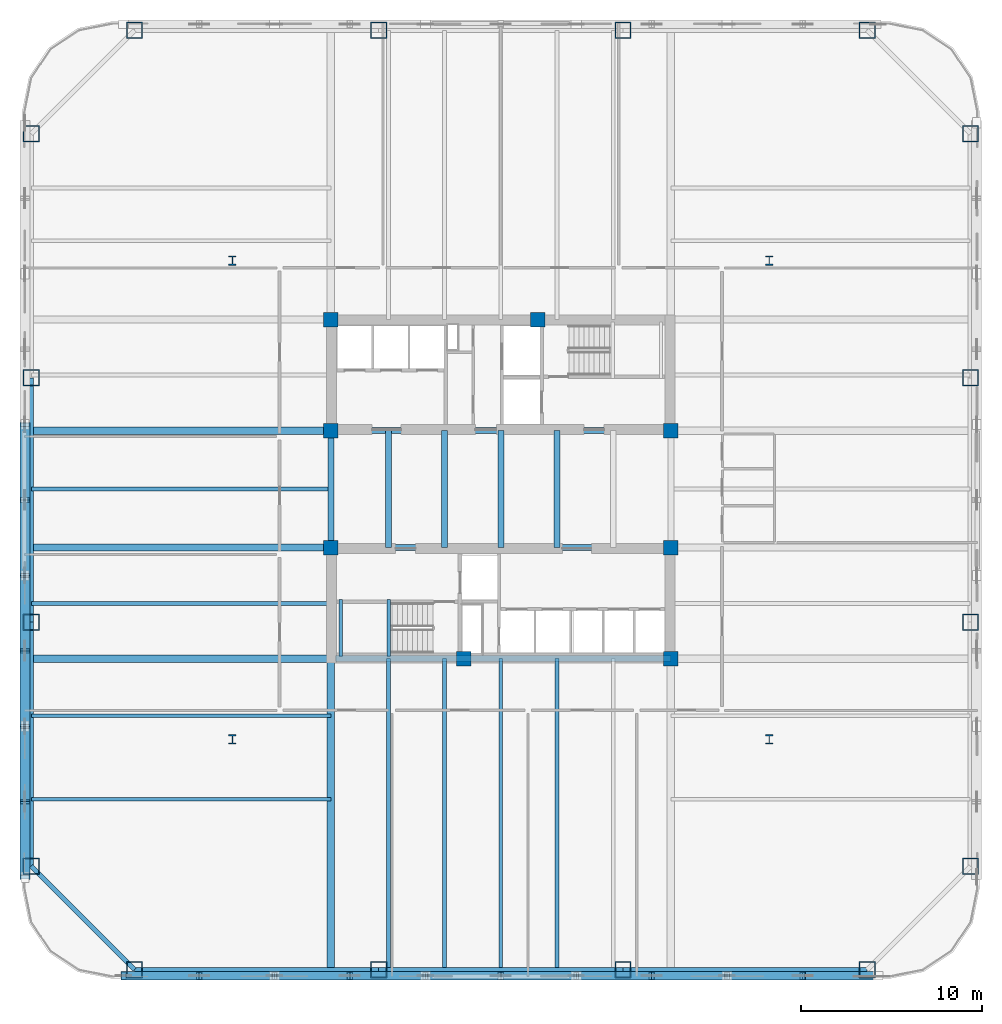
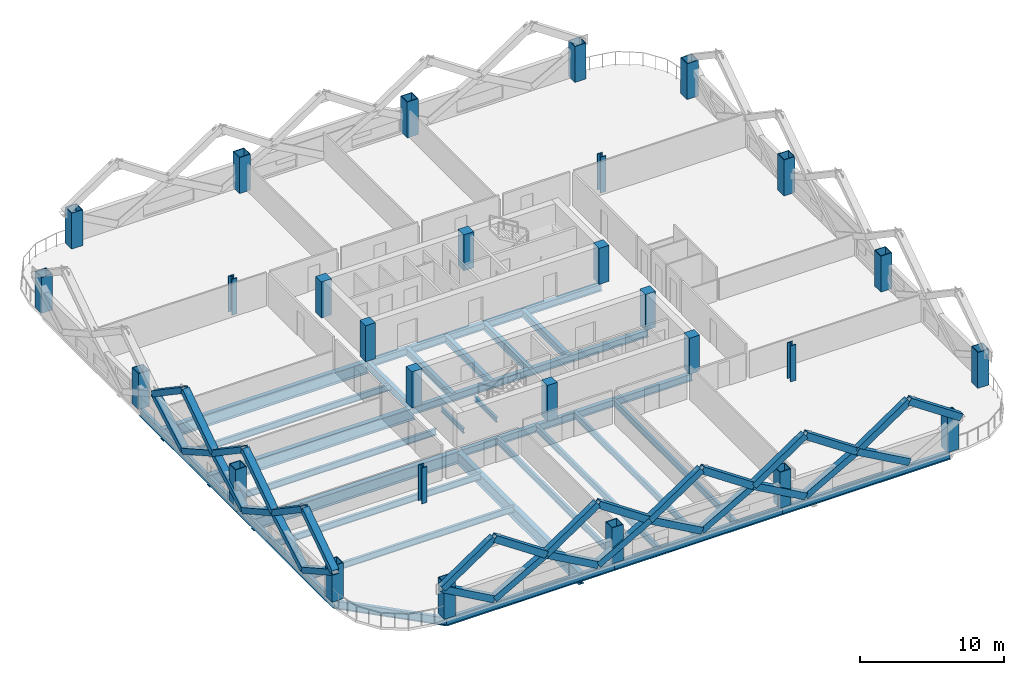
# One storey, part 1 of 13: 31 members, 28 beams, 28 columns.
"""IFC4 building model written with IfcOpenShell, lengths in metres."""

from ifc_helpers import new_model, si_unit, direction, frame, origin, origin_2d, place, context, subcontext, project, spatial, rectangle, hollow_rectangle, i_section, extrude, material, material_profile, profile_set, type_object, element, save


model = new_model("IFC4")

# Units and contexts
model_context = context("Model", 3, precision=1e-05, world=origin(), true_north=direction((0.0, 1.0)))
body_context = subcontext(model_context, "Body", "Model", "MODEL_VIEW")
ifc_project = project(units=[si_unit("LENGTHUNIT", "METRE"), si_unit("AREAUNIT", "SQUARE_METRE"), si_unit("VOLUMEUNIT", "CUBIC_METRE"), si_unit("PLANEANGLEUNIT", "RADIAN"), si_unit("MASSUNIT", "GRAM", prefix="KILO")], contexts=[model_context])

# Site, building, storey
site_placement = place(None, origin())
site = spatial("IfcSite", under=ifc_project, at=site_placement, CompositionType="ELEMENT")
building_placement = place(site_placement, origin())
building = spatial("IfcBuilding", under=site, at=building_placement, Name="Qhalaya Broadcast Tower", CompositionType="ELEMENT")
storey_placement = place(building_placement, frame((0.0, 0.0, 44.39990234375)))
storey = spatial("IfcBuildingStorey", under=building, at=storey_placement, Name="L12", CompositionType="ELEMENT", Elevation=44.39990234375)

# Columns
ifc_material_1 = material(Name="Concrete C50/60", Category="concrete")
ifc_material_profile_1 = material_profile(ifc_material_1, rectangle(XDim=0.800048828125, YDim=0.800048828125, at=origin_2d()), Name="RC-COL 800x800")
ifc_profile_set_1 = profile_set([ifc_material_profile_1], Name="Concrete C50/60")
column_type_1 = type_object("IfcColumnType", Name="RC Upper Column C10", PredefinedType="COLUMN", material=ifc_profile_set_1)
for number, where, z_axis, x_axis, name in (
    (1, (-9.375, 9.949951171875, 0.0), (0.0, 0.0, 1.0), (1.0, 0.0, 0.0), "L12 Column COL-CC1"),
    (2, (2.050048828125, 9.949951171875, 0.0), (0.0, 0.0, 1.0), (1.0, 0.0, 0.0), "L12 Column COL-CC2"),
    (3, (-9.375, 3.824951171875, 0.0), (0.0, 0.0, 1.0), (1.0, 0.0, 0.0), "L12 Column COL-CC3"),
    (4, (9.375, 3.824951171875, 0.0), (0.0, 0.0, 1.0), (1.0, 0.0, 0.0), "L12 Column COL-CC4"),
    (5, (-9.375, -2.625, 0.0), (0.0, 0.0, 1.0), (1.0, 0.0, 0.0), "L12 Column COL-CC5"),
    (6, (9.375, -2.625, 0.0), (0.0, 0.0, 1.0), (1.0, 0.0, 0.0), "L12 Column COL-CC6"),
    (7, (-2.050048828125, -8.75, 0.0), (0.0, 0.0, 1.0), (1.0, 0.0, 0.0), "L12 Column COL-CC7"),
    (8, (9.375, -8.75, 0.0), (0.0, 0.0, 1.0), (1.0, 0.0, 0.0), "L12 Column COL-CC8"),
):
    element("IfcColumn", number, at=place(storey_placement, frame(where, z_axis=z_axis, x_axis=x_axis)), inside=storey, type_object=column_type_1, Name=name, PredefinedType="COLUMN", context=body_context, shape_type="SweptSolid", body=[
        extrude(rectangle(XDim=0.800048828125, YDim=0.800048828125, at=origin_2d()), origin(), (0.0, 0.0, 1.0), 3.050048828125),
    ])
ifc_material_2 = material(Name="Structural Steel ASTM A992 Grade 50", Category="steel")
ifc_material_profile_2 = material_profile(ifc_material_2, i_section(OverallWidth=0.41796875, OverallDepth=0.510009765625, WebThickness=0.0419921875, FlangeThickness=0.067626953125, at=origin_2d()), Name="W14X370")
ifc_profile_set_2 = profile_set([ifc_material_profile_2], Name="Structural Steel ASTM A992 Grade 50")
column_type_2 = type_object("IfcColumnType", Name="Rolled Gravity Column C06", PredefinedType="COLUMN", material=ifc_profile_set_2)
for number, where, z_axis, x_axis, name in (
    (9, (-14.800048828125, -13.199951171875, 0.0), (0.0, 0.0, 1.0), (1.0, 0.0, 0.0), "L12 Column COL-GR1"),
    (10, (14.800048828125, -13.199951171875, 0.0), (0.0, 0.0, 1.0), (1.0, 0.0, 0.0), "L12 Column COL-GR2"),
    (11, (-14.800048828125, 13.199951171875, 0.0), (0.0, 0.0, 1.0), (1.0, 0.0, 0.0), "L12 Column COL-GR3"),
    (12, (14.800048828125, 13.199951171875, 0.0), (0.0, 0.0, 1.0), (1.0, 0.0, 0.0), "L12 Column COL-GR4"),
):
    element("IfcColumn", number, at=place(storey_placement, frame(where, z_axis=z_axis, x_axis=x_axis)), inside=storey, type_object=column_type_2, Name=name, PredefinedType="COLUMN", context=body_context, shape_type="SweptSolid", body=[
        extrude(i_section(OverallWidth=0.41796875, OverallDepth=0.510009765625, WebThickness=0.0419921875, FlangeThickness=0.067626953125, at=origin_2d()), origin(), (0.0, 0.0, 1.0), 3.050048828125),
    ])
ifc_material_3 = material(Name="Structural Steel ASTM A572 Grade 50", Category="steel")
ifc_material_profile_3 = material_profile(ifc_material_3, hollow_rectangle(XDim=0.89990234375, YDim=0.89990234375, WallThickness=0.054931640625, at=origin_2d()), Name="BOX 900x900x55")
ifc_profile_set_3 = profile_set([ifc_material_profile_3], Name="Structural Steel ASTM A572 Grade 50")
column_type_3 = type_object("IfcColumnType", Name="Steel Box Column C02", PredefinedType="COLUMN", material=ifc_profile_set_3)
for number, where, z_axis, x_axis, name in (
    (13, (-20.199951171875, -25.89990234375, 0.0), (0.0, 0.0, 1.0), (1.0, 0.0, 0.0), "L12 Column COL-EX01"),
    (14, (-6.7333984375, -25.89990234375, 0.0), (0.0, 0.0, 1.0), (1.0, 0.0, 0.0), "L12 Column COL-EX02"),
    (15, (6.7333984375, -25.89990234375, 0.0), (0.0, 0.0, 1.0), (1.0, 0.0, 0.0), "L12 Column COL-EX03"),
    (16, (20.199951171875, -25.89990234375, 0.0), (0.0, 0.0, 1.0), (1.0, 0.0, 0.0), "L12 Column COL-EX04"),
    (17, (25.89990234375, -20.199951171875, 0.0), (0.0, 0.0, 1.0), (0.0, 1.0, 0.0), "L12 Column COL-EX05"),
    (18, (25.89990234375, -6.7333984375, 0.0), (0.0, 0.0, 1.0), (0.0, 1.0, 0.0), "L12 Column COL-EX06"),
    (19, (25.89990234375, 6.7333984375, 0.0), (0.0, 0.0, 1.0), (0.0, 1.0, 0.0), "L12 Column COL-EX07"),
    (20, (25.89990234375, 20.199951171875, 0.0), (0.0, 0.0, 1.0), (0.0, 1.0, 0.0), "L12 Column COL-EX08"),
    (21, (20.199951171875, 25.89990234375, 0.0), (0.0, 0.0, 1.0), (1.0, 0.0, 0.0), "L12 Column COL-EX09"),
    (22, (6.7333984375, 25.89990234375, 0.0), (0.0, 0.0, 1.0), (1.0, 0.0, 0.0), "L12 Column COL-EX10"),
    (23, (-6.7333984375, 25.89990234375, 0.0), (0.0, 0.0, 1.0), (1.0, 0.0, 0.0), "L12 Column COL-EX11"),
    (24, (-20.199951171875, 25.89990234375, 0.0), (0.0, 0.0, 1.0), (1.0, 0.0, 0.0), "L12 Column COL-EX12"),
    (25, (-25.89990234375, 20.199951171875, 0.0), (0.0, 0.0, 1.0), (0.0, 1.0, 0.0), "L12 Column COL-EX13"),
    (26, (-25.89990234375, 6.7333984375, 0.0), (0.0, 0.0, 1.0), (0.0, 1.0, 0.0), "L12 Column COL-EX14"),
    (27, (-25.89990234375, -6.7333984375, 0.0), (0.0, 0.0, 1.0), (0.0, 1.0, 0.0), "L12 Column COL-EX15"),
    (28, (-25.89990234375, -20.199951171875, 0.0), (0.0, 0.0, 1.0), (0.0, 1.0, 0.0), "L12 Column COL-EX16"),
):
    element("IfcColumn", number, at=place(storey_placement, frame(where, z_axis=z_axis, x_axis=x_axis)), inside=storey, type_object=column_type_3, Name=name, PredefinedType="COLUMN", context=body_context, shape_type="SweptSolid", body=[
        extrude(hollow_rectangle(XDim=0.89990234375, YDim=0.89990234375, WallThickness=0.054931640625, at=origin_2d()), origin(), (0.0, 0.0, 1.0), 3.050048828125),
    ])

# Beams
ifc_material_profile_4 = material_profile(ifc_material_2, i_section(OverallWidth=0.2099609375, OverallDepth=0.535888671875, WebThickness=0.010986328125, FlangeThickness=0.017333984375, at=origin_2d()), Name="W21X68")
ifc_profile_set_4 = profile_set([ifc_material_profile_4], Name="Structural Steel ASTM A992 Grade 50")
beam_type_1 = type_object("IfcBeamType", Name="Composite Floor Joist J02", PredefinedType="JOIST", material=ifc_profile_set_4)
for number, where, z_axis, x_axis, name in (
    (29, (-6.199951171875, -25.8798828125, -0.48779296875), (0.0, 1.0, 0.0), (-1.0, 0.0, 0.0), "L12 J02 L12-JNS1-1"),
    (30, (-3.10009765625, -25.8798828125, -0.48779296875), (0.0, 1.0, 0.0), (-1.0, 0.0, 0.0), "L12 J02 L12-JNS2-1"),
    (31, (0.0, -25.8798828125, -0.48779296875), (0.0, 1.0, 0.0), (-1.0, 0.0, 0.0), "L12 J02 L12-JNS3-1"),
    (32, (3.10009765625, -25.8798828125, -0.48779296875), (0.0, 1.0, 0.0), (-1.0, 0.0, 0.0), "L12 J02 L12-JNS4-1"),
):
    element("IfcBeam", number, at=place(storey_placement, frame(where, z_axis=z_axis, x_axis=x_axis)), inside=storey, type_object=beam_type_1, Name=name, PredefinedType="JOIST", context=body_context, shape_type="SweptSolid", body=[
        extrude(i_section(OverallWidth=0.2099609375, OverallDepth=0.535888671875, WebThickness=0.010986328125, FlangeThickness=0.017333984375, at=origin_2d()), origin(), (0.0, 0.0, 1.0), 17.1298828125),
    ])
for number, where, z_axis, x_axis, name in (
    (33, (-25.8798828125, -16.5, -0.48779296875), (1.0, 0.0, 0.0), (0.0, 1.0, 0.0), "L12 J02 L12-JWE1W-1"),
    (34, (-25.8798828125, -11.89990234375, -0.48779296875), (1.0, 0.0, 0.0), (0.0, 1.0, 0.0), "L12 J02 L12-JWE2W-1"),
    (35, (-25.8798828125, -5.699951171875, -0.48779296875), (1.0, 0.0, 0.0), (0.0, 1.0, 0.0), "L12 J02 L12-JWE3W-1"),
    (36, (-25.8798828125, 0.60009765625, -0.48779296875), (1.0, 0.0, 0.0), (0.0, 1.0, 0.0), "L12 J02 L12-JWE4W-1"),
):
    element("IfcBeam", number, at=place(storey_placement, frame(where, z_axis=z_axis, x_axis=x_axis)), inside=storey, type_object=beam_type_1, Name=name, PredefinedType="JOIST", context=body_context, shape_type="SweptSolid", body=[
        extrude(i_section(OverallWidth=0.2099609375, OverallDepth=0.535888671875, WebThickness=0.010986328125, FlangeThickness=0.017333984375, at=origin_2d()), origin(), (0.0, 0.0, 1.0), 16.5048828125),
    ])
ifc_material_profile_5 = material_profile(ifc_material_2, i_section(OverallWidth=0.323974609375, OverallDepth=0.612060546875, WebThickness=0.0126953125, FlangeThickness=0.01904296875, at=origin_2d()), Name="W24X104")
ifc_profile_set_5 = profile_set([ifc_material_profile_5], Name="Structural Steel ASTM A992 Grade 50")
beam_type_2 = type_object("IfcBeamType", Name="Core Frame Tie Beam B04", PredefinedType="BEAM", material=ifc_profile_set_5)
for number, where, z_axis, x_axis, name in (
    (37, (-9.375, 3.824951171875, -0.52587890625), (1.0, 0.0, 0.0), (0.0, 1.0, 0.0), "L12 B04 L12-CCN1"),
    (38, (-9.375, -2.625, -0.52587890625), (1.0, 0.0, 0.0), (0.0, 1.0, 0.0), "L12 B04 L12-CCS1"),
):
    element("IfcBeam", number, at=place(storey_placement, frame(where, z_axis=z_axis, x_axis=x_axis)), inside=storey, type_object=beam_type_2, Name=name, PredefinedType="BEAM", context=body_context, shape_type="SweptSolid", body=[
        extrude(i_section(OverallWidth=0.323974609375, OverallDepth=0.612060546875, WebThickness=0.0126953125, FlangeThickness=0.01904296875, at=origin_2d()), origin(), (0.0, 0.0, 1.0), 18.75),
    ])
beam_1_placement = place(storey_placement, frame((-9.1201171875, -8.75, -0.52587890625), z_axis=(1.0, 0.0, 0.0), x_axis=(0.0, 1.0, 0.0)))
element("IfcBeam", 39, at=beam_1_placement, inside=storey, type_object=beam_type_2, Name="L12 B04 L12-CCS3", PredefinedType="BEAM", context=body_context, shape_type="SweptSolid", body=[
    extrude(i_section(OverallWidth=0.323974609375, OverallDepth=0.612060546875, WebThickness=0.0126953125, FlangeThickness=0.01904296875, at=origin_2d()), origin(), (0.0, 0.0, 1.0), 18.4951171875),
])
for number, where, z_axis, x_axis, name in (
    (40, (-9.375, -2.625, -0.52587890625), (0.0, 1.0, 0.0), (-1.0, 0.0, 0.0), "L12 B04 L12-CCW"),
    (41, (-6.199951171875, -2.625, -0.52587890625), (0.0, 1.0, 0.0), (-1.0, 0.0, 0.0), "L12 B04 L12-JC1-1"),
    (42, (-3.10009765625, -2.625, -0.52587890625), (0.0, 1.0, 0.0), (-1.0, 0.0, 0.0), "L12 B04 L12-JC2-1"),
    (43, (0.0, -2.625, -0.52587890625), (0.0, 1.0, 0.0), (-1.0, 0.0, 0.0), "L12 B04 L12-JC3-1"),
    (44, (3.10009765625, -2.625, -0.52587890625), (0.0, 1.0, 0.0), (-1.0, 0.0, 0.0), "L12 B04 L12-JC4-1"),
):
    element("IfcBeam", number, at=place(storey_placement, frame(where, z_axis=z_axis, x_axis=x_axis)), inside=storey, type_object=beam_type_2, Name=name, PredefinedType="BEAM", context=body_context, shape_type="SweptSolid", body=[
        extrude(i_section(OverallWidth=0.323974609375, OverallDepth=0.612060546875, WebThickness=0.0126953125, FlangeThickness=0.01904296875, at=origin_2d()), origin(), (0.0, 0.0, 1.0), 6.449951171875),
    ])

# Members
ifc_material_profile_6 = material_profile(ifc_material_3, hollow_rectangle(XDim=0.449951171875, YDim=0.550048828125, WallThickness=0.031982421875, at=origin_2d()), Name="BOX 450x550x32")
ifc_profile_set_6 = profile_set([ifc_material_profile_6], Name="Structural Steel ASTM A572 Grade 50")
member_type = type_object("IfcMemberType", Name="Exoskeleton Diamond Diagonal Lower EX1", PredefinedType="BRACE", material=ifc_profile_set_6)
member_1_placement = place(storey_placement, frame((-16.639892578125, -26.239990234375, 0.360107421875), z_axis=(-0.872471089532, 0.0, 0.488665732306), x_axis=(0.0, -1.0, 0.0)))
element("IfcMember", 45, at=member_1_placement, inside=storey, type_object=member_type, Name="B1 Exoskeleton Diamond Brace S1-D1", PredefinedType="BRACE", context=body_context, shape_type="SweptSolid", body=[
    extrude(hollow_rectangle(XDim=0.449951171875, YDim=0.550048828125, WallThickness=0.031982421875, at=origin_2d()), origin(), (0.0, 0.0, 1.0), 4.768310546875),
])
member_2_placement = place(storey_placement, frame((-16.639892578125, -26.239990234375, 0.360107421875), z_axis=(0.872458862126, 0.0, 0.488687562658), x_axis=(0.0, 1.0, 0.0)))
element("IfcMember", 46, at=member_2_placement, inside=storey, type_object=member_type, Name="B1 Exoskeleton Diamond Brace S1-D2", PredefinedType="BRACE", context=body_context, shape_type="SweptSolid", body=[
    extrude(hollow_rectangle(XDim=0.449951171875, YDim=0.550048828125, WallThickness=0.031982421875, at=origin_2d()), origin(), (0.0, 0.0, 1.0), 4.76806640625),
])
member_3_placement = place(storey_placement, frame((-20.800048828125, -26.239990234375, 2.690185546875), z_axis=(0.828690779946, 0.0, 0.559706701079), x_axis=(0.0, 1.0, 0.0)))
element("IfcMember", 47, at=member_3_placement, inside=storey, type_object=member_type, Name="B1 Exoskeleton Diamond Brace S1-D3", PredefinedType="BRACE", context=body_context, shape_type="SweptSolid", body=[
    extrude(hollow_rectangle(XDim=0.449951171875, YDim=0.550048828125, WallThickness=0.031982421875, at=origin_2d()), origin(), (0.0, 0.0, 1.0), 5.020263671875),
])
member_4_placement = place(storey_placement, frame((-12.47998046875, -26.239990234375, 2.690185546875), z_axis=(-0.828675543973, 0.0, 0.5597292585), x_axis=(0.0, -1.0, 0.0)))
element("IfcMember", 48, at=member_4_placement, inside=storey, type_object=member_type, Name="B1 Exoskeleton Diamond Brace S1-D4", PredefinedType="BRACE", context=body_context, shape_type="SweptSolid", body=[
    extrude(hollow_rectangle(XDim=0.449951171875, YDim=0.550048828125, WallThickness=0.031982421875, at=origin_2d()), origin(), (0.0, 0.0, 1.0), 5.02001953125),
])
member_5_placement = place(storey_placement, frame((-8.320068359375, -26.239990234375, 0.360107421875), z_axis=(-0.872458862126, 0.0, 0.488687562658), x_axis=(0.0, -1.0, 0.0)))
element("IfcMember", 49, at=member_5_placement, inside=storey, type_object=member_type, Name="B1 Exoskeleton Diamond Brace S2-D1", PredefinedType="BRACE", context=body_context, shape_type="SweptSolid", body=[
    extrude(hollow_rectangle(XDim=0.449951171875, YDim=0.550048828125, WallThickness=0.031982421875, at=origin_2d()), origin(), (0.0, 0.0, 1.0), 4.76806640625),
])
member_6_placement = place(storey_placement, frame((-8.320068359375, -26.239990234375, 0.360107421875), z_axis=(0.872471089532, 0.0, 0.488665732306), x_axis=(0.0, 1.0, 0.0)))
element("IfcMember", 50, at=member_6_placement, inside=storey, type_object=member_type, Name="B1 Exoskeleton Diamond Brace S2-D2", PredefinedType="BRACE", context=body_context, shape_type="SweptSolid", body=[
    extrude(hollow_rectangle(XDim=0.449951171875, YDim=0.550048828125, WallThickness=0.031982421875, at=origin_2d()), origin(), (0.0, 0.0, 1.0), 4.768310546875),
])
member_7_placement = place(storey_placement, frame((-12.47998046875, -26.239990234375, 2.690185546875), z_axis=(0.828675543973, 0.0, 0.5597292585), x_axis=(0.0, 1.0, 0.0)))
element("IfcMember", 51, at=member_7_placement, inside=storey, type_object=member_type, Name="B1 Exoskeleton Diamond Brace S2-D3", PredefinedType="BRACE", context=body_context, shape_type="SweptSolid", body=[
    extrude(hollow_rectangle(XDim=0.449951171875, YDim=0.550048828125, WallThickness=0.031982421875, at=origin_2d()), origin(), (0.0, 0.0, 1.0), 5.02001953125),
])
member_8_placement = place(storey_placement, frame((-4.159912109375, -26.239990234375, 2.690185546875), z_axis=(-0.828690779946, 0.0, 0.559706701079), x_axis=(0.0, -1.0, 0.0)))
element("IfcMember", 52, at=member_8_placement, inside=storey, type_object=member_type, Name="B1 Exoskeleton Diamond Brace S2-D4", PredefinedType="BRACE", context=body_context, shape_type="SweptSolid", body=[
    extrude(hollow_rectangle(XDim=0.449951171875, YDim=0.550048828125, WallThickness=0.031982421875, at=origin_2d()), origin(), (0.0, 0.0, 1.0), 5.020263671875),
])
for number, where, z_axis, x_axis, name in (
    (53, (0.0, -26.239990234375, 0.360107421875), (-0.872458862126, 0.0, 0.488687562658), (0.0, -1.0, 0.0), "B1 Exoskeleton Diamond Brace S3-D1"),
    (54, (0.0, -26.239990234375, 0.360107421875), (0.872458862126, 0.0, 0.488687562658), (0.0, 1.0, 0.0), "B1 Exoskeleton Diamond Brace S3-D2"),
):
    element("IfcMember", number, at=place(storey_placement, frame(where, z_axis=z_axis, x_axis=x_axis)), inside=storey, type_object=member_type, Name=name, PredefinedType="BRACE", context=body_context, shape_type="SweptSolid", body=[
        extrude(hollow_rectangle(XDim=0.449951171875, YDim=0.550048828125, WallThickness=0.031982421875, at=origin_2d()), origin(), (0.0, 0.0, 1.0), 4.76806640625),
    ])
for number, where, z_axis, x_axis, name in (
    (55, (-4.159912109375, -26.239990234375, 2.690185546875), (0.828675543973, 0.0, 0.5597292585), (0.0, 1.0, 0.0), "B1 Exoskeleton Diamond Brace S3-D3"),
    (56, (4.159912109375, -26.239990234375, 2.690185546875), (-0.828675543973, 0.0, 0.5597292585), (0.0, -1.0, 0.0), "B1 Exoskeleton Diamond Brace S3-D4"),
):
    element("IfcMember", number, at=place(storey_placement, frame(where, z_axis=z_axis, x_axis=x_axis)), inside=storey, type_object=member_type, Name=name, PredefinedType="BRACE", context=body_context, shape_type="SweptSolid", body=[
        extrude(hollow_rectangle(XDim=0.449951171875, YDim=0.550048828125, WallThickness=0.031982421875, at=origin_2d()), origin(), (0.0, 0.0, 1.0), 5.02001953125),
    ])
member_9_placement = place(storey_placement, frame((8.320068359375, -26.239990234375, 0.360107421875), z_axis=(-0.872471089532, 0.0, 0.488665732306), x_axis=(0.0, -1.0, 0.0)))
element("IfcMember", 57, at=member_9_placement, inside=storey, type_object=member_type, Name="B1 Exoskeleton Diamond Brace S4-D1", PredefinedType="BRACE", context=body_context, shape_type="SweptSolid", body=[
    extrude(hollow_rectangle(XDim=0.449951171875, YDim=0.550048828125, WallThickness=0.031982421875, at=origin_2d()), origin(), (0.0, 0.0, 1.0), 4.768310546875),
])
member_10_placement = place(storey_placement, frame((8.320068359375, -26.239990234375, 0.360107421875), z_axis=(0.872458862126, 0.0, 0.488687562658), x_axis=(0.0, 1.0, 0.0)))
element("IfcMember", 58, at=member_10_placement, inside=storey, type_object=member_type, Name="B1 Exoskeleton Diamond Brace S4-D2", PredefinedType="BRACE", context=body_context, shape_type="SweptSolid", body=[
    extrude(hollow_rectangle(XDim=0.449951171875, YDim=0.550048828125, WallThickness=0.031982421875, at=origin_2d()), origin(), (0.0, 0.0, 1.0), 4.76806640625),
])
member_11_placement = place(storey_placement, frame((4.159912109375, -26.239990234375, 2.690185546875), z_axis=(0.828690779946, 0.0, 0.559706701079), x_axis=(0.0, 1.0, 0.0)))
element("IfcMember", 59, at=member_11_placement, inside=storey, type_object=member_type, Name="B1 Exoskeleton Diamond Brace S4-D3", PredefinedType="BRACE", context=body_context, shape_type="SweptSolid", body=[
    extrude(hollow_rectangle(XDim=0.449951171875, YDim=0.550048828125, WallThickness=0.031982421875, at=origin_2d()), origin(), (0.0, 0.0, 1.0), 5.020263671875),
])
member_12_placement = place(storey_placement, frame((12.47998046875, -26.239990234375, 2.690185546875), z_axis=(-0.828675543973, 0.0, 0.5597292585), x_axis=(0.0, -1.0, 0.0)))
element("IfcMember", 60, at=member_12_placement, inside=storey, type_object=member_type, Name="B1 Exoskeleton Diamond Brace S4-D4", PredefinedType="BRACE", context=body_context, shape_type="SweptSolid", body=[
    extrude(hollow_rectangle(XDim=0.449951171875, YDim=0.550048828125, WallThickness=0.031982421875, at=origin_2d()), origin(), (0.0, 0.0, 1.0), 5.02001953125),
])
member_13_placement = place(storey_placement, frame((16.639892578125, -26.239990234375, 0.360107421875), z_axis=(-0.872458862126, 0.0, 0.488687562658), x_axis=(0.0, -1.0, 0.0)))
element("IfcMember", 61, at=member_13_placement, inside=storey, type_object=member_type, Name="B1 Exoskeleton Diamond Brace S5-D1", PredefinedType="BRACE", context=body_context, shape_type="SweptSolid", body=[
    extrude(hollow_rectangle(XDim=0.449951171875, YDim=0.550048828125, WallThickness=0.031982421875, at=origin_2d()), origin(), (0.0, 0.0, 1.0), 4.76806640625),
])
member_14_placement = place(storey_placement, frame((12.47998046875, -26.239990234375, 2.690185546875), z_axis=(0.828675543973, 0.0, 0.5597292585), x_axis=(0.0, 1.0, 0.0)))
element("IfcMember", 62, at=member_14_placement, inside=storey, type_object=member_type, Name="B1 Exoskeleton Diamond Brace S5-D3", PredefinedType="BRACE", context=body_context, shape_type="SweptSolid", body=[
    extrude(hollow_rectangle(XDim=0.449951171875, YDim=0.550048828125, WallThickness=0.031982421875, at=origin_2d()), origin(), (0.0, 0.0, 1.0), 5.02001953125),
])
member_15_placement = place(storey_placement, frame((20.800048828125, -26.239990234375, 2.690185546875), z_axis=(-0.828690779946, 0.0, 0.559706701079), x_axis=(0.0, -1.0, 0.0)))
element("IfcMember", 63, at=member_15_placement, inside=storey, type_object=member_type, Name="B1 Exoskeleton Diamond Brace S5-D4", PredefinedType="BRACE", context=body_context, shape_type="SweptSolid", body=[
    extrude(hollow_rectangle(XDim=0.449951171875, YDim=0.550048828125, WallThickness=0.031982421875, at=origin_2d()), origin(), (0.0, 0.0, 1.0), 5.020263671875),
])
for number, where, z_axis, x_axis, name in (
    (64, (-26.239990234375, 0.0, 0.360107421875), (0.0, 0.872458862126, 0.488687562658), (0.0, -0.488687562658, 0.872458862126), "B1 Exoskeleton Diamond Brace W3-D1"),
    (65, (-26.239990234375, 0.0, 0.360107421875), (0.0, -0.872458862126, 0.488687562658), (0.0, 0.488687562658, 0.872458862126), "B1 Exoskeleton Diamond Brace W3-D2"),
):
    element("IfcMember", number, at=place(storey_placement, frame(where, z_axis=z_axis, x_axis=x_axis)), inside=storey, type_object=member_type, Name=name, PredefinedType="BRACE", context=body_context, shape_type="SweptSolid", body=[
        extrude(hollow_rectangle(XDim=0.449951171875, YDim=0.550048828125, WallThickness=0.031982421875, at=origin_2d()), origin(), (0.0, 0.0, 1.0), 4.76806640625),
    ])
for number, where, z_axis, x_axis, name in (
    (66, (-26.239990234375, 4.159912109375, 2.690185546875), (0.0, -0.828675543973, 0.5597292585), (0.0, 0.5597292585, 0.828675543973), "B1 Exoskeleton Diamond Brace W3-D3"),
    (67, (-26.239990234375, -4.159912109375, 2.690185546875), (0.0, 0.828675543973, 0.5597292585), (0.0, -0.5597292585, 0.828675543973), "B1 Exoskeleton Diamond Brace W3-D4"),
):
    element("IfcMember", number, at=place(storey_placement, frame(where, z_axis=z_axis, x_axis=x_axis)), inside=storey, type_object=member_type, Name=name, PredefinedType="BRACE", context=body_context, shape_type="SweptSolid", body=[
        extrude(hollow_rectangle(XDim=0.449951171875, YDim=0.550048828125, WallThickness=0.031982421875, at=origin_2d()), origin(), (0.0, 0.0, 1.0), 5.02001953125),
    ])
member_16_placement = place(storey_placement, frame((-26.239990234375, -8.320068359375, 0.360107421875), z_axis=(0.0, 0.872471089532, 0.488665732306), x_axis=(0.0, -0.488665732306, 0.872471089532)))
element("IfcMember", 68, at=member_16_placement, inside=storey, type_object=member_type, Name="B1 Exoskeleton Diamond Brace W4-D1", PredefinedType="BRACE", context=body_context, shape_type="SweptSolid", body=[
    extrude(hollow_rectangle(XDim=0.449951171875, YDim=0.550048828125, WallThickness=0.031982421875, at=origin_2d()), origin(), (0.0, 0.0, 1.0), 4.768310546875),
])
member_17_placement = place(storey_placement, frame((-26.239990234375, -8.320068359375, 0.360107421875), z_axis=(0.0, -0.872458862126, 0.488687562658), x_axis=(0.0, 0.488687562658, 0.872458862126)))
element("IfcMember", 69, at=member_17_placement, inside=storey, type_object=member_type, Name="B1 Exoskeleton Diamond Brace W4-D2", PredefinedType="BRACE", context=body_context, shape_type="SweptSolid", body=[
    extrude(hollow_rectangle(XDim=0.449951171875, YDim=0.550048828125, WallThickness=0.031982421875, at=origin_2d()), origin(), (0.0, 0.0, 1.0), 4.76806640625),
])
member_18_placement = place(storey_placement, frame((-26.239990234375, -4.159912109375, 2.690185546875), z_axis=(0.0, -0.828690779946, 0.559706701079), x_axis=(0.0, 0.559706701079, 0.828690779946)))
element("IfcMember", 70, at=member_18_placement, inside=storey, type_object=member_type, Name="B1 Exoskeleton Diamond Brace W4-D3", PredefinedType="BRACE", context=body_context, shape_type="SweptSolid", body=[
    extrude(hollow_rectangle(XDim=0.449951171875, YDim=0.550048828125, WallThickness=0.031982421875, at=origin_2d()), origin(), (0.0, 0.0, 1.0), 5.020263671875),
])
member_19_placement = place(storey_placement, frame((-26.239990234375, -12.47998046875, 2.690185546875), z_axis=(0.0, 0.828675543973, 0.5597292585), x_axis=(0.0, -0.5597292585, 0.828675543973)))
element("IfcMember", 71, at=member_19_placement, inside=storey, type_object=member_type, Name="B1 Exoskeleton Diamond Brace W4-D4", PredefinedType="BRACE", context=body_context, shape_type="SweptSolid", body=[
    extrude(hollow_rectangle(XDim=0.449951171875, YDim=0.550048828125, WallThickness=0.031982421875, at=origin_2d()), origin(), (0.0, 0.0, 1.0), 5.02001953125),
])
member_20_placement = place(storey_placement, frame((-26.239990234375, -16.639892578125, 0.360107421875), z_axis=(0.0, 0.872458862126, 0.488687562658), x_axis=(0.0, -0.488687562658, 0.872458862126)))
element("IfcMember", 72, at=member_20_placement, inside=storey, type_object=member_type, Name="B1 Exoskeleton Diamond Brace W5-D1", PredefinedType="BRACE", context=body_context, shape_type="SweptSolid", body=[
    extrude(hollow_rectangle(XDim=0.449951171875, YDim=0.550048828125, WallThickness=0.031982421875, at=origin_2d()), origin(), (0.0, 0.0, 1.0), 4.76806640625),
])
member_21_placement = place(storey_placement, frame((-26.239990234375, -16.639892578125, 0.360107421875), z_axis=(0.0, -0.872471089532, 0.488665732306), x_axis=(0.0, 0.488665732306, 0.872471089532)))
element("IfcMember", 73, at=member_21_placement, inside=storey, type_object=member_type, Name="B1 Exoskeleton Diamond Brace W5-D2", PredefinedType="BRACE", context=body_context, shape_type="SweptSolid", body=[
    extrude(hollow_rectangle(XDim=0.449951171875, YDim=0.550048828125, WallThickness=0.031982421875, at=origin_2d()), origin(), (0.0, 0.0, 1.0), 4.768310546875),
])
member_22_placement = place(storey_placement, frame((-26.239990234375, -12.47998046875, 2.690185546875), z_axis=(0.0, -0.828675543973, 0.5597292585), x_axis=(0.0, 0.5597292585, 0.828675543973)))
element("IfcMember", 74, at=member_22_placement, inside=storey, type_object=member_type, Name="B1 Exoskeleton Diamond Brace W5-D3", PredefinedType="BRACE", context=body_context, shape_type="SweptSolid", body=[
    extrude(hollow_rectangle(XDim=0.449951171875, YDim=0.550048828125, WallThickness=0.031982421875, at=origin_2d()), origin(), (0.0, 0.0, 1.0), 5.02001953125),
])
member_23_placement = place(storey_placement, frame((-26.239990234375, -20.800048828125, 2.690185546875), z_axis=(0.0, 0.828690779946, 0.559706701079), x_axis=(0.0, -0.559706701079, 0.828690779946)))
element("IfcMember", 75, at=member_23_placement, inside=storey, type_object=member_type, Name="B1 Exoskeleton Diamond Brace W5-D4", PredefinedType="BRACE", context=body_context, shape_type="SweptSolid", body=[
    extrude(hollow_rectangle(XDim=0.449951171875, YDim=0.550048828125, WallThickness=0.031982421875, at=origin_2d()), origin(), (0.0, 0.0, 1.0), 5.020263671875),
])

# Beams
ifc_material_profile_7 = material_profile(ifc_material_2, i_section(OverallWidth=0.40087890625, OverallDepth=1.010986328125, WebThickness=0.023681640625, FlangeThickness=0.0419921875, at=origin_2d()), Name="W40X297")
ifc_profile_set_7 = profile_set([ifc_material_profile_7], Name="Structural Steel ASTM A992 Grade 50")
beam_type_3 = type_object("IfcBeamType", Name="Lower Block Primary Girder PG2", PredefinedType="USERDEFINED", material=ifc_profile_set_7)
beam_2_placement = place(storey_placement, frame((-9.375, -25.8798828125, -0.725341796875), z_axis=(0.0, 1.0, 0.0), x_axis=(-1.0, 0.0, 0.0)))
element("IfcBeam", 76, at=beam_2_placement, inside=storey, type_object=beam_type_3, Name="L12 PG2 L12-PGXS1-1", ObjectType="GIRDER", PredefinedType="USERDEFINED", context=body_context, shape_type="SweptSolid", body=[
    extrude(i_section(OverallWidth=0.40087890625, OverallDepth=1.010986328125, WebThickness=0.023681640625, FlangeThickness=0.0419921875, at=origin_2d()), origin(), (0.0, 0.0, 1.0), 17.1298828125),
])
for number, where, z_axis, x_axis, name in (
    (77, (-25.8798828125, -8.75, -0.725341796875), (1.0, 0.0, 0.0), (0.0, 1.0, 0.0), "L12 PG2 L12-PGYW1-1"),
    (78, (-25.8798828125, -2.625, -0.725341796875), (1.0, 0.0, 0.0), (0.0, 1.0, 0.0), "L12 PG2 L12-PGYW2-1"),
    (79, (-25.8798828125, 3.824951171875, -0.725341796875), (1.0, 0.0, 0.0), (0.0, 1.0, 0.0), "L12 PG2 L12-PGYW3-1"),
):
    element("IfcBeam", number, at=place(storey_placement, frame(where, z_axis=z_axis, x_axis=x_axis)), inside=storey, type_object=beam_type_3, Name=name, ObjectType="GIRDER", PredefinedType="USERDEFINED", context=body_context, shape_type="SweptSolid", body=[
        extrude(i_section(OverallWidth=0.40087890625, OverallDepth=1.010986328125, WebThickness=0.023681640625, FlangeThickness=0.0419921875, at=origin_2d()), origin(), (0.0, 0.0, 1.0), 16.5048828125),
    ])
ifc_material_profile_8 = material_profile(ifc_material_2, i_section(OverallWidth=0.25390625, OverallDepth=0.68310546875, WebThickness=0.012451171875, FlangeThickness=0.01904296875, at=origin_2d()), Name="W27X94")
ifc_profile_set_8 = profile_set([ifc_material_profile_8], Name="Structural Steel ASTM A992 Grade 50")
beam_type_4 = type_object("IfcBeamType", Name="Perimeter Ring Spandrel Beam SP1", PredefinedType="SPANDREL", material=ifc_profile_set_8)
beam_3_placement = place(storey_placement, frame((-20.199951171875, -25.89990234375, -0.5615234375), z_axis=(1.0, 0.0, 0.0), x_axis=(0.0, 1.0, 0.0)))
element("IfcBeam", 80, at=beam_3_placement, inside=storey, type_object=beam_type_4, Name="L12 SP1 L12-SPR-01", PredefinedType="SPANDREL", context=body_context, shape_type="SweptSolid", body=[
    extrude(i_section(OverallWidth=0.25390625, OverallDepth=0.68310546875, WebThickness=0.012451171875, FlangeThickness=0.01904296875, at=origin_2d()), origin(), (0.0, 0.0, 1.0), 13.466552734375),
])
beam_4_placement = place(storey_placement, frame((-6.7333984375, -25.89990234375, -0.5615234375), z_axis=(1.0, 0.0, 0.0), x_axis=(0.0, 1.0, 0.0)))
element("IfcBeam", 81, at=beam_4_placement, inside=storey, type_object=beam_type_4, Name="L12 SP1 L12-SPR-02", PredefinedType="SPANDREL", context=body_context, shape_type="SweptSolid", body=[
    extrude(i_section(OverallWidth=0.25390625, OverallDepth=0.68310546875, WebThickness=0.012451171875, FlangeThickness=0.01904296875, at=origin_2d()), origin(), (0.0, 0.0, 1.0), 13.466796875),
])
beam_5_placement = place(storey_placement, frame((6.7333984375, -25.89990234375, -0.5615234375), z_axis=(1.0, 0.0, 0.0), x_axis=(0.0, 1.0, 0.0)))
element("IfcBeam", 82, at=beam_5_placement, inside=storey, type_object=beam_type_4, Name="L12 SP1 L12-SPR-03", PredefinedType="SPANDREL", context=body_context, shape_type="SweptSolid", body=[
    extrude(i_section(OverallWidth=0.25390625, OverallDepth=0.68310546875, WebThickness=0.012451171875, FlangeThickness=0.01904296875, at=origin_2d()), origin(), (0.0, 0.0, 1.0), 13.466552734375),
])
beam_6_placement = place(storey_placement, frame((-25.89990234375, 6.7333984375, -0.5615234375), z_axis=(0.0, -1.0, 0.0), x_axis=(1.0, 0.0, 0.0)))
element("IfcBeam", 83, at=beam_6_placement, inside=storey, type_object=beam_type_4, Name="L12 SP1 L12-SPR-14", PredefinedType="SPANDREL", context=body_context, shape_type="SweptSolid", body=[
    extrude(i_section(OverallWidth=0.25390625, OverallDepth=0.68310546875, WebThickness=0.012451171875, FlangeThickness=0.01904296875, at=origin_2d()), origin(), (0.0, 0.0, 1.0), 13.466796875),
])
beam_7_placement = place(storey_placement, frame((-25.89990234375, -6.7333984375, -0.5615234375), z_axis=(0.0, -1.0, 0.0), x_axis=(1.0, 0.0, 0.0)))
element("IfcBeam", 84, at=beam_7_placement, inside=storey, type_object=beam_type_4, Name="L12 SP1 L12-SPR-15", PredefinedType="SPANDREL", context=body_context, shape_type="SweptSolid", body=[
    extrude(i_section(OverallWidth=0.25390625, OverallDepth=0.68310546875, WebThickness=0.012451171875, FlangeThickness=0.01904296875, at=origin_2d()), origin(), (0.0, 0.0, 1.0), 13.466552734375),
])
beam_8_placement = place(storey_placement, frame((-25.89990234375, -20.199951171875, -0.5615234375), z_axis=(0.707106781187, -0.707106781187, 0.0), x_axis=(0.707106781187, 0.707106781187, 0.0)))
element("IfcBeam", 85, at=beam_8_placement, inside=storey, type_object=beam_type_4, Name="L12 SP1 L12-SPR-16", PredefinedType="SPANDREL", context=body_context, shape_type="SweptSolid", body=[
    extrude(i_section(OverallWidth=0.25390625, OverallDepth=0.68310546875, WebThickness=0.012451171875, FlangeThickness=0.01904296875, at=origin_2d()), origin(), (0.0, 0.0, 1.0), 8.06103515625),
])
ifc_material_profile_9 = material_profile(ifc_material_2, i_section(OverallWidth=0.177978515625, OverallDepth=0.406005859375, WebThickness=0.0078125, FlangeThickness=0.0126953125, at=origin_2d()), Name="W16X40")
ifc_profile_set_9 = profile_set([ifc_material_profile_9], Name="Structural Steel ASTM A992 Grade 50")
beam_type_5 = type_object("IfcBeamType", Name="Upper Perimeter Spandrel Beam SP2", PredefinedType="SPANDREL", material=ifc_profile_set_9)
for number, where, z_axis, x_axis, name in (
    (86, (-8.830078125, -8.6201171875, 1.1220703125), (0.0, 1.0, 0.0), (-1.0, 0.0, 0.0), "L12 ST-2 Half-Landing Bearer Beam 1"),
    (87, (-6.175048828125, -8.6201171875, 1.1220703125), (0.0, 1.0, 0.0), (-1.0, 0.0, 0.0), "L12 ST-2 Half-Landing Bearer Beam 2"),
):
    element("IfcBeam", number, at=place(storey_placement, frame(where, z_axis=z_axis, x_axis=x_axis)), inside=storey, type_object=beam_type_5, Name=name, PredefinedType="SPANDREL", context=body_context, shape_type="SweptSolid", body=[
        extrude(i_section(OverallWidth=0.177978515625, OverallDepth=0.406005859375, WebThickness=0.0078125, FlangeThickness=0.0126953125, at=origin_2d()), origin(), (0.0, 0.0, 1.0), 3.1201171875),
    ])

save(model, "model.ifc")
